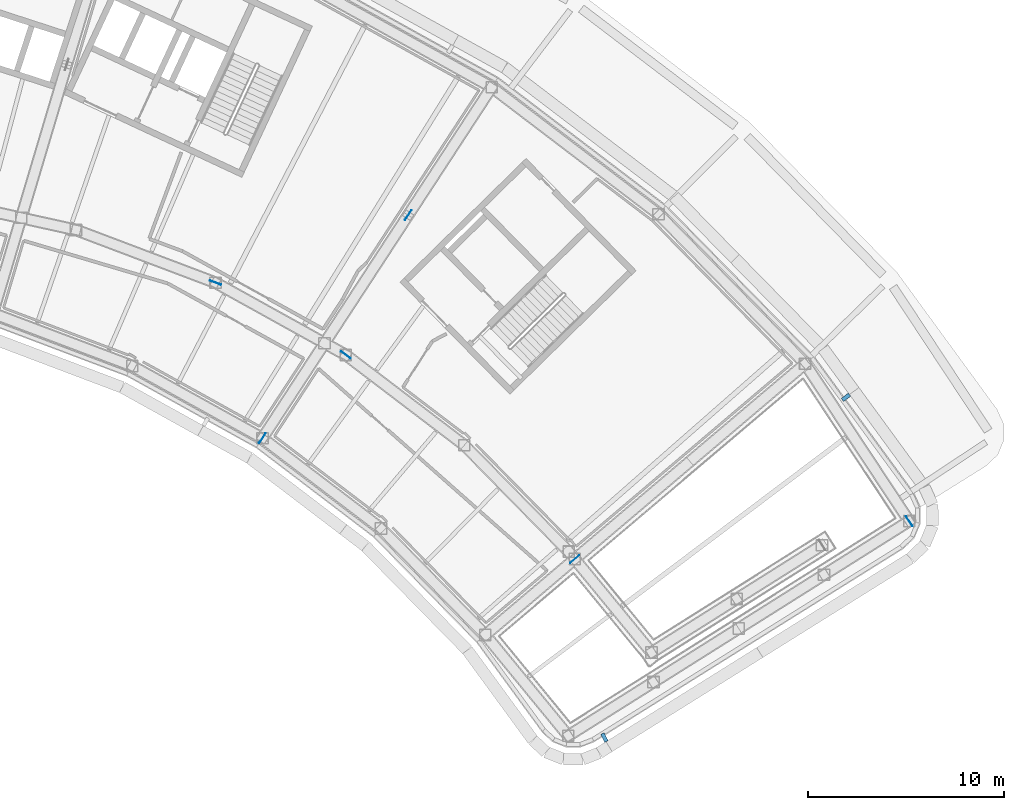
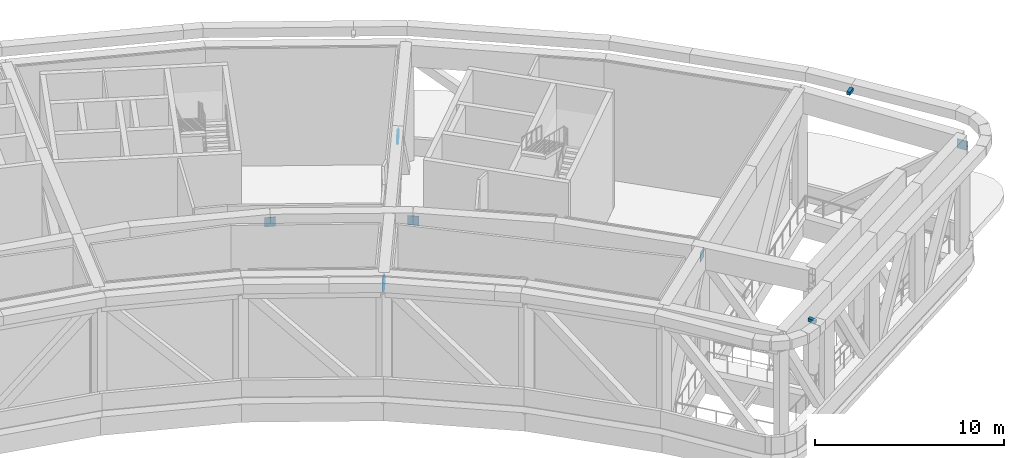
# One storey, part 18 of 24: 8 discrete accessories.
"""IFC4 building model written with IfcOpenShell, lengths in metres."""

import ifcopenshell
import ifcopenshell.guid

model = None  # the IFC model being written
_history = None  # IfcOwnerHistory: only IFC2X3 demands one
_inside = {}  # id of a spatial element -> (the spatial element, [elements in it])
_under = {}  # id of a project, library or spatial element -> (it, [spatial elements below it])
_declared = {}  # id of a project -> (the project, [libraries it declares])
_typed = {}  # id of a type object -> (the type object, [elements of that type])
_made_of = {}  # id of a material, layer set ... -> (it, [elements and type objects made of it])


def new_model(schema):
    """Start an empty IFC model of exactly this schema.

    Asked for "IFC4X3", IfcOpenShell would pick the latest addendum, in which some entities
    have other attributes; the version numbers below select the first issue.
    IFC2X3 requires an IfcOwnerHistory on every rooted entity: one is made here for all.
    """
    global model, _history
    if schema == "IFC4X3":
        model = ifcopenshell.file(schema_version=(4, 3, 0, 0))
    else:
        model = ifcopenshell.file(schema=schema)
    _inside.clear()
    _under.clear()
    _declared.clear()
    _typed.clear()
    _made_of.clear()
    _history = None
    if model.schema == "IFC2X3":
        org = make("IfcOrganization", Name="unknown")
        user = make(
            "IfcPersonAndOrganization",
            ThePerson=make("IfcPerson", FamilyName="unknown"),
            TheOrganization=org,
        )
        app = make(
            "IfcApplication",
            ApplicationDeveloper=org,
            Version="unknown",
            ApplicationFullName="unknown",
            ApplicationIdentifier="unknown",
        )
        _history = make(
            "IfcOwnerHistory",
            OwningUser=user,
            OwningApplication=app,
            ChangeAction="ADDED",
            CreationDate=0,
        )
    return model


def make(cls, **values):
    """One entity of the class cls with the attributes given. An attribute that is None is left unset."""
    return model.create_entity(
        cls, **{name: value for name, value in values.items() if value is not None}
    )


def rooted(cls, **values):
    """An entity with a GlobalId (a new one), such as an element, a storey or a relation."""
    return make(cls, GlobalId=ifcopenshell.guid.new(), OwnerHistory=_history, **values)


def si_unit(unit_type, name, prefix=None):
    """IfcSIUnit, for example si_unit("LENGTHUNIT", "METRE", prefix="MILLI")."""
    return make("IfcSIUnit", UnitType=unit_type, Prefix=prefix, Name=name)


def assignment(units):
    """IfcUnitAssignment: the units of a project."""
    return None if units is None else make("IfcUnitAssignment", Units=units)


def point(xyz):
    """IfcCartesianPoint."""
    return None if xyz is None else make("IfcCartesianPoint", Coordinates=xyz)


def direction(xyz):
    """IfcDirection."""
    return None if xyz is None else make("IfcDirection", DirectionRatios=xyz)


def frame(location, z_axis=None, x_axis=None):
    """IfcAxis2Placement3D, a coordinate frame: its origin and axes. An axis left out is left unset."""
    return make(
        "IfcAxis2Placement3D",
        Location=point(location),
        Axis=direction(z_axis),
        RefDirection=direction(x_axis),
    )


def frame_2d(location, x_axis=None):
    """IfcAxis2Placement2D, a coordinate frame in the plane: its origin and x axis."""
    return make(
        "IfcAxis2Placement2D", Location=point(location), RefDirection=direction(x_axis)
    )


def origin():
    """The frame at (0, 0, 0) with its axes left unset."""
    return frame((0.0, 0.0, 0.0))


def origin_2d():
    """The frame at (0, 0) in the plane with its x axis left unset."""
    return frame_2d((0.0, 0.0))


def place(relative_to, where):
    """IfcLocalPlacement: puts the frame where relative to a parent placement (None: the world)."""
    return make(
        "IfcLocalPlacement", PlacementRelTo=relative_to, RelativePlacement=where
    )


def context(
    kind, dimensions, precision=None, world=None, true_north=None, identifier=None
):
    """IfcGeometricRepresentationContext, for example the 3D "Model" context."""
    return make(
        "IfcGeometricRepresentationContext",
        ContextIdentifier=identifier,
        ContextType=kind,
        CoordinateSpaceDimension=dimensions,
        Precision=precision,
        WorldCoordinateSystem=world,
        TrueNorth=true_north,
    )


def subcontext(parent, identifier, kind, view, scale=None):
    """IfcGeometricRepresentationSubContext, for example "Body" below "Model"."""
    return make(
        "IfcGeometricRepresentationSubContext",
        ContextIdentifier=identifier,
        ContextType=kind,
        ParentContext=parent,
        TargetScale=scale,
        TargetView=view,
    )


def project(units=None, contexts=None):
    """IfcProject with its units and contexts."""
    return rooted(
        "IfcProject",
        Name="project",
        RepresentationContexts=contexts,
        UnitsInContext=assignment(units),
    )


def spatial(cls, under=None, at=None, **own):
    """A site, building, storey or space (cls), placed at a placement, below another one or the project."""
    s = rooted(cls, ObjectPlacement=at, **own)
    if under is not None:
        _under.setdefault(under.id(), (under, []))[1].append(s)
    return s


def profile(cls, at=None, kind="AREA", **sizes):
    """A parametric profile (cls). Its sizes go by their IFC names, for example OverallWidth=200.0."""
    return make(cls, ProfileType=kind, Position=at, **sizes)


def rectangle(**sizes):
    """IfcRectangleProfileDef."""
    return profile("IfcRectangleProfileDef", **sizes)


def extrude(swept, where, along, depth):
    """IfcExtrudedAreaSolid: the profile swept, set in the frame where, extruded along a direction by depth."""
    return make(
        "IfcExtrudedAreaSolid",
        SweptArea=swept,
        Position=where,
        ExtrudedDirection=direction(along),
        Depth=depth,
    )


def shape(context_of_items, identifier, shape_type, items):
    """IfcShapeRepresentation: the items that make up one representation, for example the "Body"."""
    return make(
        "IfcShapeRepresentation",
        ContextOfItems=context_of_items,
        RepresentationIdentifier=identifier,
        RepresentationType=shape_type,
        Items=items,
    )


def material(Name=None, Category=None):
    """IfcMaterial."""
    return make("IfcMaterial", Name=Name, Category=Category)


def made_of(thing, what):
    """Note that an element or type object is made of a material, layer set ...; save() writes the relation."""
    if what is not None:
        _made_of.setdefault(what.id(), (what, []))[1].append(thing)
    return thing


def type_object(cls, material=None, **own):
    """A type object (cls), such as IfcWallType, which elements share."""
    return made_of(rooted(cls, **own), material)


def element(
    cls,
    number,
    at=None,
    inside=None,
    cuts=None,
    type_object=None,
    material=None,
    context=None,
    identifier="Body",
    shape_type=None,
    held_by="IfcProductDefinitionShape",
    body=None,
    shapes=None,
    **own,
):
    """One element of the class cls, such as IfcWall. Its Tag is "e" and its number.

    at: its placement. inside: the storey or other place that contains it. cuts: it is an
    opening in that element (IfcRelVoidsElement). A single representation is given by context,
    identifier, shape_type and body (its items); several are given by shapes. held_by: the class
    of the entity that holds the representations. save() writes the other relations.
    """
    e = rooted(cls, Tag="e%d" % number, ObjectPlacement=at, **own)
    if body is not None:
        shapes = [shape(context, identifier, shape_type, body)]
    if shapes is not None:
        e.Representation = make(held_by, Representations=shapes)
    if inside is not None:
        _inside.setdefault(inside.id(), (inside, []))[1].append(e)
    if cuts is not None:
        rooted(
            "IfcRelVoidsElement", RelatingBuildingElement=cuts, RelatedOpeningElement=e
        )
    if type_object is not None:
        _typed.setdefault(type_object.id(), (type_object, []))[1].append(e)
    return made_of(e, material)


def aggregate(whole, parts):
    """IfcRelAggregates: a whole, such as a stair, and the parts it consists of."""
    return rooted("IfcRelAggregates", RelatingObject=whole, RelatedObjects=parts)


def save(model, path):
    """Write the relations noted so far, then the file.

    IfcRelAggregates (storeys below a building ...), IfcRelContainedInSpatialStructure (elements
    in a storey), IfcRelDefinesByType, IfcRelAssociatesMaterial and IfcRelDeclares: one each for
    every whole, place, type object, material and project.
    """
    for whole, parts in _under.values():
        aggregate(whole, parts)
    for where, things in _inside.values():
        rooted(
            "IfcRelContainedInSpatialStructure",
            RelatedElements=things,
            RelatingStructure=where,
        )
    for kind, things in _typed.values():
        rooted("IfcRelDefinesByType", RelatedObjects=things, RelatingType=kind)
    for what, things in _made_of.values():
        rooted("IfcRelAssociatesMaterial", RelatedObjects=things, RelatingMaterial=what)
    for by, libraries in _declared.values():
        rooted("IfcRelDeclares", RelatingContext=by, RelatedDefinitions=libraries)
    model.write(path)


model = new_model("IFC4")

# Units and contexts
model_context = context("Model", 3, precision=1e-05, world=origin(), true_north=direction((0.0, 1.0)))
body_context = subcontext(model_context, "Body", "Model", "MODEL_VIEW")
ifc_project = project(units=[si_unit("LENGTHUNIT", "METRE"), si_unit("AREAUNIT", "SQUARE_METRE"), si_unit("VOLUMEUNIT", "CUBIC_METRE"), si_unit("PLANEANGLEUNIT", "RADIAN"), si_unit("MASSUNIT", "GRAM", prefix="KILO")], contexts=[model_context])

# Site, building, storey
site_placement = place(None, origin())
site = spatial("IfcSite", under=ifc_project, at=site_placement, CompositionType="ELEMENT")
building_placement = place(site_placement, origin())
building = spatial("IfcBuilding", under=site, at=building_placement, Name="Tuul Gate Civic Tower", CompositionType="ELEMENT")
storey_placement = place(building_placement, frame((0.0, 0.0, 277.800048828125)))
storey = spatial("IfcBuildingStorey", under=building, at=storey_placement, Name="Wind floor 2", CompositionType="ELEMENT", Elevation=277.800048828125)

# Discrete accessories
ifc_material_1 = material(Name="Steel S355", Category="steel")
discrete_accessory_type_1 = type_object("IfcDiscreteAccessoryType", Name="Gusset plate", PredefinedType="BRACKET", material=ifc_material_1)
for number, where, z_axis, x_axis, name in (
    (1, (51.4248046875, -26.8310546875, 6.604248046875), (0.0, 0.0, 1.0), (0.76282474496, 0.646605295738, 0.0), "Gusset plate"),
    (2, (42.93359375, -9.310791015625, 6.603515625), (0.0, 0.0, 1.0), (0.54674333885, 0.837300257627, 0.0), "Gusset plate"),
    (3, (35.512939453125, -20.672119140625, 6.603759765625), (0.0, 0.0, 1.0), (0.54674333885, 0.837300257627, 0.0), "Gusset plate"),
    (4, (68.461181640625, -24.89794921875, 6.603515625), (0.0, 0.0, 1.0), (-0.551597524527, 0.834110406922, 0.0), "Gusset plate"),
    (5, (39.755859375, -16.42919921875, 6.604248046875), (0.0, 0.0, 1.0), (0.795664473939, -0.60573760401, 0.0), "Gusset plate"),
    (6, (33.1181640625, -12.748779296875, 6.603759765625), (0.0, 0.0, 1.0), (-0.935367540469, 0.353677203444, 0.0), "Gusset plate"),
):
    element("IfcDiscreteAccessory", number, at=place(storey_placement, frame(where, z_axis=z_axis, x_axis=x_axis)), inside=storey, type_object=discrete_accessory_type_1, Name=name, PredefinedType="BRACKET", context=body_context, shape_type="SweptSolid", body=[
        extrude(rectangle(XDim=0.60009765625, YDim=0.030029296875, at=origin_2d()), origin(), (0.0, 0.0, 1.0), 0.60009765625),
    ])
ifc_material_2 = material(Name="Stainless steel", Category="steel")
discrete_accessory_type_2 = type_object("IfcDiscreteAccessoryType", Name="Screen bracket", PredefinedType="BRACKET", material=ifc_material_2)
discrete_accessory_1_placement = place(storey_placement, frame((65.24072265625, -18.58837890625, 7.5498046875), z_axis=(0.0, 0.0, 1.0), x_axis=(0.796468710921, 0.604679743769, 0.0)))
element("IfcDiscreteAccessory", 7, at=discrete_accessory_1_placement, inside=storey, type_object=discrete_accessory_type_2, Name="Screen bracket 1", PredefinedType="BRACKET", context=body_context, shape_type="SweptSolid", body=[
    extrude(rectangle(XDim=0.4501953125, YDim=0.199951171875, at=origin_2d()), origin(), (0.0, 0.0, 1.0), 0.199951171875),
])
discrete_accessory_2_placement = place(storey_placement, frame((52.93359375, -35.920166015625, 7.5498046875), z_axis=(0.0, 0.0, 1.0), x_axis=(0.453848979937, -0.891078617974, 0.0)))
element("IfcDiscreteAccessory", 8, at=discrete_accessory_2_placement, inside=storey, type_object=discrete_accessory_type_2, Name="Screen bracket 31", PredefinedType="BRACKET", context=body_context, shape_type="SweptSolid", body=[
    extrude(rectangle(XDim=0.45166015625, YDim=0.199951171875, at=origin_2d()), origin(), (0.0, 0.0, 1.0), 0.199951171875),
])

save(model, "model.ifc")
